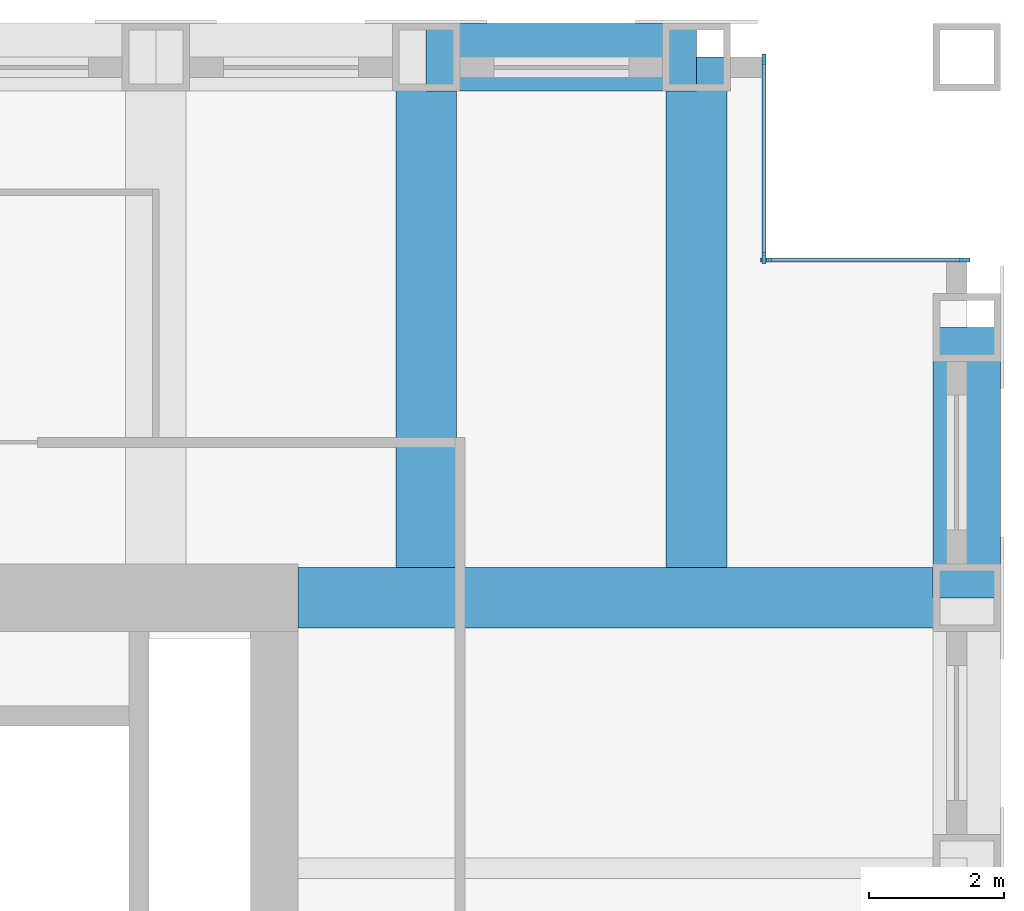
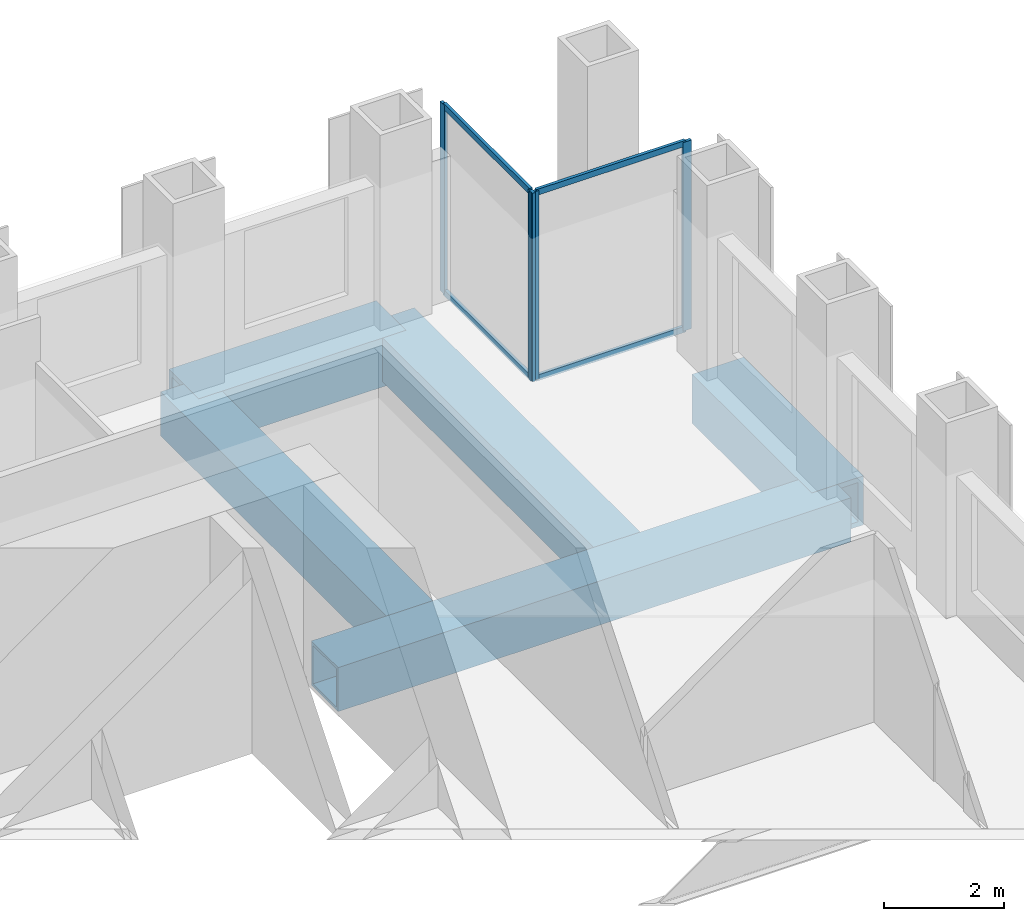
# One storey, part 6 of 11: 8 members, 5 beams, 2 elements without a shape of their own.
"""IFC4 building model written with IfcOpenShell, lengths in metres."""

from ifc_helpers import new_model, si_unit, direction, frame, origin, origin_2d, place, context, subcontext, project, spatial, rectangle, hollow_rectangle, extrude, material, material_profile, profile_set, type_object, element, aggregate, save


model = new_model("IFC4")

# Units and contexts
model_context = context("Model", 3, precision=1e-05, world=origin(), true_north=direction((0.0, 1.0)))
body_context = subcontext(model_context, "Body", "Model", "MODEL_VIEW")
ifc_project = project(units=[si_unit("LENGTHUNIT", "METRE"), si_unit("AREAUNIT", "SQUARE_METRE"), si_unit("VOLUMEUNIT", "CUBIC_METRE"), si_unit("PLANEANGLEUNIT", "RADIAN"), si_unit("MASSUNIT", "GRAM", prefix="KILO")], contexts=[model_context])

# Site, building, storey
site_placement = place(None, origin())
site = spatial("IfcSite", under=ifc_project, at=site_placement, CompositionType="ELEMENT")
building_placement = place(site_placement, origin())
building = spatial("IfcBuilding", under=site, at=building_placement, Name="Rimbunsela Tower", CompositionType="ELEMENT")
storey_placement = place(building_placement, frame((0.0, 0.0, 278.199951171875)))
storey = spatial("IfcBuildingStorey", under=building, at=storey_placement, Name="L67", CompositionType="ELEMENT", Elevation=278.199951171875)

# Beams
ifc_material_1 = material(Name="Steel BJ 55 (fy 410 MPa)", Category="steel")
ifc_material_profile_1 = material_profile(ifc_material_1, hollow_rectangle(XDim=1.0, YDim=1.0, WallThickness=0.10009765625, at=origin_2d()), Name="BOX 1000x1000x100")
ifc_profile_set_1 = profile_set([ifc_material_profile_1], Name="Steel BJ 55 (fy 410 MPa)")
beam_type_1 = type_object("IfcBeamType", Name="Beam BOX 1000x1000x100", PredefinedType="BEAM", material=ifc_profile_set_1)
for number, where, z_axis, x_axis, name in (
    (1, (38.0, 44.0, -0.64990234375), (1.0, 0.0, 0.0), (0.0, 1.0, 0.0), "Beam B3 L67"),
    (2, (46.0, 36.0, -0.64990234375), (0.0, 1.0, 0.0), (-1.0, 0.0, 0.0), "Beam B3 L67"),
):
    element("IfcBeam", number, at=place(storey_placement, frame(where, z_axis=z_axis, x_axis=x_axis)), inside=storey, type_object=beam_type_1, Name=name, PredefinedType="BEAM", context=body_context, shape_type="SweptSolid", body=[
        extrude(hollow_rectangle(XDim=1.0, YDim=1.0, WallThickness=0.10009765625, at=origin_2d()), origin(), (0.0, 0.0, 1.0), 4.0),
    ])
ifc_material_2 = material(Name="Steel BJ 55 (fy 410 MPa)", Category="steel")
ifc_material_profile_2 = material_profile(ifc_material_2, hollow_rectangle(XDim=0.89990234375, YDim=0.89990234375, WallThickness=0.06005859375, at=origin_2d()), Name="BOX 900x900x60")
ifc_profile_set_2 = profile_set([ifc_material_profile_2], Name="Steel BJ 55 (fy 410 MPa)")
beam_type_2 = type_object("IfcBeamType", Name="Beam BOX 900x900x60", PredefinedType="BEAM", material=ifc_profile_set_2)
beam_placement = place(storey_placement, frame((36.10009765625, 36.0, -0.599853515625), z_axis=(1.0, 0.0, 0.0), x_axis=(0.0, 1.0, 0.0)))
element("IfcBeam", 3, at=beam_placement, inside=storey, type_object=beam_type_2, Name="Beam B1 L67", PredefinedType="BEAM", context=body_context, shape_type="SweptSolid", body=[
    extrude(hollow_rectangle(XDim=0.89990234375, YDim=0.89990234375, WallThickness=0.06005859375, at=origin_2d()), origin(), (0.0, 0.0, 1.0), 9.89990234375),
])
for number, where, z_axis, x_axis, name in (
    (4, (38.0, 36.449951171875, -0.599853515625), (0.0, 1.0, 0.0), (-1.0, 0.0, 0.0), "Beam B1 L67"),
    (5, (42.0, 36.449951171875, -0.599853515625), (0.0, 1.0, 0.0), (-1.0, 0.0, 0.0), "Beam B1 L67"),
):
    element("IfcBeam", number, at=place(storey_placement, frame(where, z_axis=z_axis, x_axis=x_axis)), inside=storey, type_object=beam_type_2, Name=name, PredefinedType="BEAM", context=body_context, shape_type="SweptSolid", body=[
        extrude(hollow_rectangle(XDim=0.89990234375, YDim=0.89990234375, WallThickness=0.06005859375, at=origin_2d()), origin(), (0.0, 0.0, 1.0), 7.550048828125),
    ])

# Curtain wall, members
ifc_material_3 = material(Name="Aluminium curtain wall", Category="aluminium")
curtain_wall_type = type_object("IfcCurtainWallType", Name="Corner glazing", PredefinedType="USERDEFINED", material=ifc_material_3)
curtain_wall_1_placement = place(storey_placement, origin())
curtain_wall_1 = element("IfcCurtainWall", 6, at=curtain_wall_1_placement, inside=storey, type_object=curtain_wall_type, Name="Corner glazing L67", ObjectType="CORNER GLAZING", PredefinedType="USERDEFINED")
ifc_material_4 = material(Name="Aluminium mullion", Category="aluminium")
ifc_material_profile_3 = material_profile(ifc_material_4, rectangle(XDim=0.06005859375, YDim=0.159912109375, at=origin_2d()), Name="Mullion 60x160")
ifc_profile_set_3 = profile_set([ifc_material_profile_3], Name="Aluminium mullion")
member_type_1 = type_object("IfcMemberType", Name="Curtain wall mullion 60x160", PredefinedType="MULLION", material=ifc_profile_set_3)
member_1_placement = place(storey_placement, frame((45.969970703125, 41.0, 0.0), z_axis=(0.0, 0.0, 1.0), x_axis=(0.0, -1.0, 0.0)))
member_1 = element("IfcMember", 7, at=member_1_placement, type_object=member_type_1, Name="CW5 mullion 1", PredefinedType="MULLION", context=body_context, shape_type="SweptSolid", body=[
    extrude(rectangle(XDim=0.06005859375, YDim=0.159912109375, at=origin_2d()), origin(), (0.0, 0.0, 1.0), 3.85009765625),
])
member_2_placement = place(storey_placement, frame((43.030029296875, 41.0, 0.0), z_axis=(0.0, 0.0, 1.0), x_axis=(0.0, -1.0, 0.0)))
member_2 = element("IfcMember", 8, at=member_2_placement, type_object=member_type_1, Name="CW5 mullion 2", PredefinedType="MULLION", context=body_context, shape_type="SweptSolid", body=[
    extrude(rectangle(XDim=0.06005859375, YDim=0.159912109375, at=origin_2d()), origin(), (0.0, 0.0, 1.0), 3.85009765625),
])

curtain_wall_2_placement = place(storey_placement, origin())
curtain_wall_2 = element("IfcCurtainWall", 9, at=curtain_wall_2_placement, inside=storey, type_object=curtain_wall_type, Name="Corner glazing L67", ObjectType="CORNER GLAZING", PredefinedType="USERDEFINED")
member_3_placement = place(storey_placement, frame((43.0, 41.030029296875, 0.0), z_axis=(0.0, 0.0, 1.0), x_axis=(-1.0, 0.0, 0.0)))
member_3 = element("IfcMember", 10, at=member_3_placement, type_object=member_type_1, Name="CW5 mullion 1", PredefinedType="MULLION", context=body_context, shape_type="SweptSolid", body=[
    extrude(rectangle(XDim=0.06005859375, YDim=0.159912109375, at=origin_2d()), origin(), (0.0, 0.0, 1.0), 3.85009765625),
])
member_4_placement = place(storey_placement, frame((43.0, 43.969970703125, 0.0), z_axis=(0.0, 0.0, 1.0), x_axis=(-1.0, 0.0, 0.0)))
member_4 = element("IfcMember", 11, at=member_4_placement, type_object=member_type_1, Name="CW5 mullion 2", PredefinedType="MULLION", context=body_context, shape_type="SweptSolid", body=[
    extrude(rectangle(XDim=0.06005859375, YDim=0.159912109375, at=origin_2d()), origin(), (0.0, 0.0, 1.0), 3.85009765625),
])

# Member
ifc_material_5 = material(Name="Aluminium transom", Category="aluminium")
ifc_material_profile_4 = material_profile(ifc_material_5, rectangle(XDim=0.06005859375, YDim=0.1201171875, at=origin_2d()), Name="Transom 60x120")
ifc_profile_set_4 = profile_set([ifc_material_profile_4], Name="Aluminium transom")
member_type_2 = type_object("IfcMemberType", Name="Curtain wall transom 60x120", PredefinedType="USERDEFINED", material=ifc_profile_set_4)
member_5_placement = place(storey_placement, frame((45.93994140625, 41.0, 0.030029296875), z_axis=(-1.0, 0.0, 0.0), x_axis=(0.0, -1.0, 0.0)))
member_5 = element("IfcMember", 12, at=member_5_placement, type_object=member_type_2, Name="CW5 transom 1.1", ObjectType="TRANSOM", PredefinedType="USERDEFINED", context=body_context, shape_type="SweptSolid", body=[
    extrude(rectangle(XDim=0.06005859375, YDim=0.1201171875, at=origin_2d()), origin(), (0.0, 0.0, 1.0), 2.8798828125),
])

member_6_placement = place(storey_placement, frame((45.93994140625, 41.0, 3.820068359375), z_axis=(-1.0, 0.0, 0.0), x_axis=(0.0, -1.0, 0.0)))
member_6 = element("IfcMember", 13, at=member_6_placement, type_object=member_type_2, Name="CW5 transom 1.2", ObjectType="TRANSOM", PredefinedType="USERDEFINED", context=body_context, shape_type="SweptSolid", body=[
    extrude(rectangle(XDim=0.06005859375, YDim=0.1201171875, at=origin_2d()), origin(), (0.0, 0.0, 1.0), 2.8798828125),
])

aggregate(curtain_wall_1, [member_1, member_2, member_5, member_6])

member_7_placement = place(storey_placement, frame((43.0, 41.06005859375, 0.030029296875), z_axis=(0.0, 1.0, 0.0), x_axis=(-1.0, 0.0, 0.0)))
member_7 = element("IfcMember", 14, at=member_7_placement, type_object=member_type_2, Name="CW5 transom 1.1", ObjectType="TRANSOM", PredefinedType="USERDEFINED", context=body_context, shape_type="SweptSolid", body=[
    extrude(rectangle(XDim=0.06005859375, YDim=0.1201171875, at=origin_2d()), origin(), (0.0, 0.0, 1.0), 2.8798828125),
])

member_8_placement = place(storey_placement, frame((43.0, 41.06005859375, 3.820068359375), z_axis=(0.0, 1.0, 0.0), x_axis=(-1.0, 0.0, 0.0)))
member_8 = element("IfcMember", 15, at=member_8_placement, type_object=member_type_2, Name="CW5 transom 1.2", ObjectType="TRANSOM", PredefinedType="USERDEFINED", context=body_context, shape_type="SweptSolid", body=[
    extrude(rectangle(XDim=0.06005859375, YDim=0.1201171875, at=origin_2d()), origin(), (0.0, 0.0, 1.0), 2.8798828125),
])

aggregate(curtain_wall_2, [member_3, member_4, member_7, member_8])

save(model, "model.ifc")
